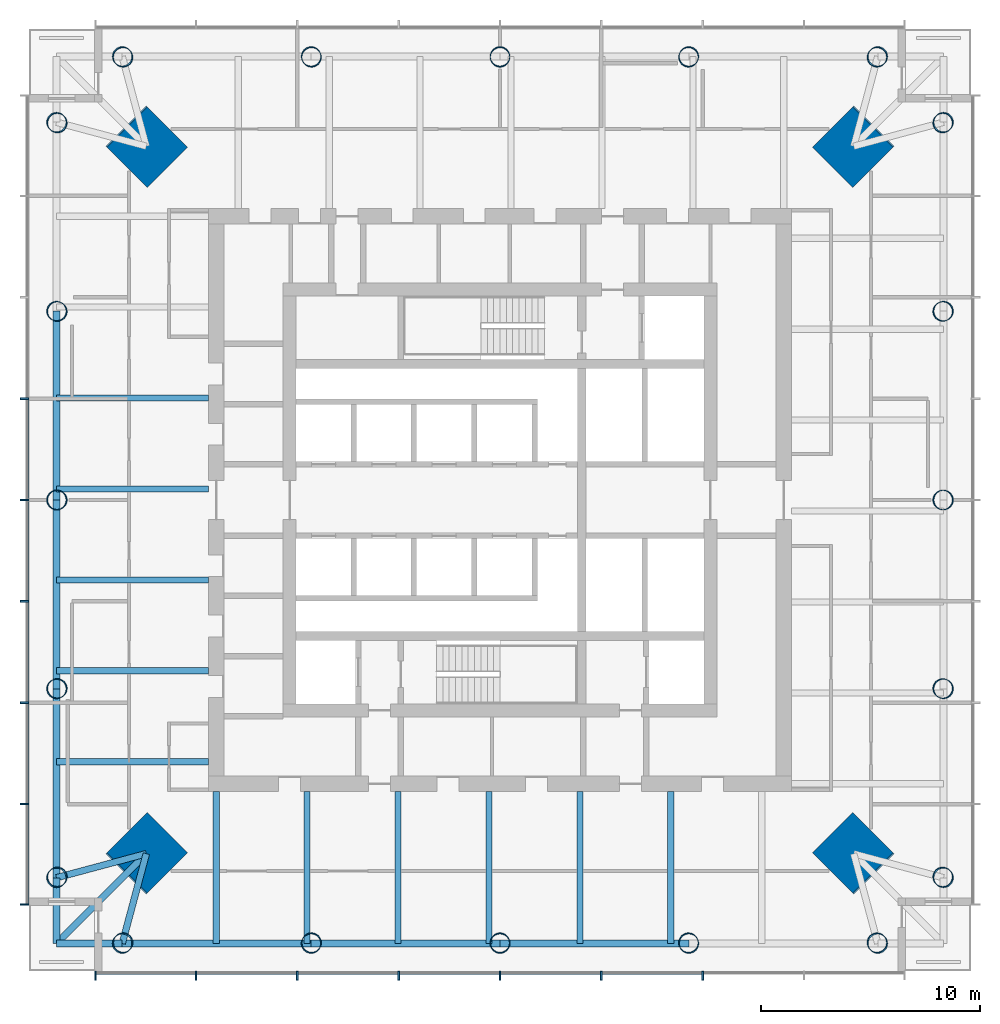
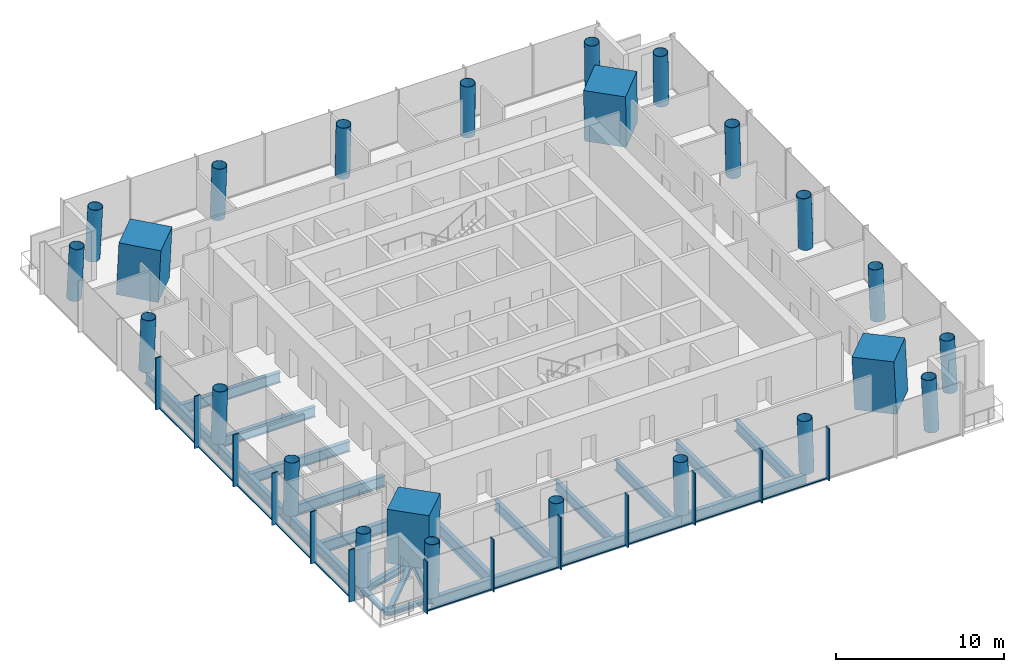
# One storey, part 1 of 9: 24 columns, 24 members, 22 beams, 2 elements without a shape of their own.
"""IFC4 building model written with IfcOpenShell, lengths in metres."""

import ifcopenshell
import ifcopenshell.guid

model = None  # the IFC model being written
_history = None  # IfcOwnerHistory: only IFC2X3 demands one
_inside = {}  # id of a spatial element -> (the spatial element, [elements in it])
_under = {}  # id of a project, library or spatial element -> (it, [spatial elements below it])
_declared = {}  # id of a project -> (the project, [libraries it declares])
_typed = {}  # id of a type object -> (the type object, [elements of that type])
_made_of = {}  # id of a material, layer set ... -> (it, [elements and type objects made of it])


def new_model(schema):
    """Start an empty IFC model of exactly this schema.

    Asked for "IFC4X3", IfcOpenShell would pick the latest addendum, in which some entities
    have other attributes; the version numbers below select the first issue.
    IFC2X3 requires an IfcOwnerHistory on every rooted entity: one is made here for all.
    """
    global model, _history
    if schema == "IFC4X3":
        model = ifcopenshell.file(schema_version=(4, 3, 0, 0))
    else:
        model = ifcopenshell.file(schema=schema)
    _inside.clear()
    _under.clear()
    _declared.clear()
    _typed.clear()
    _made_of.clear()
    _history = None
    if model.schema == "IFC2X3":
        org = make("IfcOrganization", Name="unknown")
        user = make(
            "IfcPersonAndOrganization",
            ThePerson=make("IfcPerson", FamilyName="unknown"),
            TheOrganization=org,
        )
        app = make(
            "IfcApplication",
            ApplicationDeveloper=org,
            Version="unknown",
            ApplicationFullName="unknown",
            ApplicationIdentifier="unknown",
        )
        _history = make(
            "IfcOwnerHistory",
            OwningUser=user,
            OwningApplication=app,
            ChangeAction="ADDED",
            CreationDate=0,
        )
    return model


def make(cls, **values):
    """One entity of the class cls with the attributes given. An attribute that is None is left unset."""
    return model.create_entity(
        cls, **{name: value for name, value in values.items() if value is not None}
    )


def rooted(cls, **values):
    """An entity with a GlobalId (a new one), such as an element, a storey or a relation."""
    return make(cls, GlobalId=ifcopenshell.guid.new(), OwnerHistory=_history, **values)


def si_unit(unit_type, name, prefix=None):
    """IfcSIUnit, for example si_unit("LENGTHUNIT", "METRE", prefix="MILLI")."""
    return make("IfcSIUnit", UnitType=unit_type, Prefix=prefix, Name=name)


def assignment(units):
    """IfcUnitAssignment: the units of a project."""
    return None if units is None else make("IfcUnitAssignment", Units=units)


def point(xyz):
    """IfcCartesianPoint."""
    return None if xyz is None else make("IfcCartesianPoint", Coordinates=xyz)


def direction(xyz):
    """IfcDirection."""
    return None if xyz is None else make("IfcDirection", DirectionRatios=xyz)


def frame(location, z_axis=None, x_axis=None):
    """IfcAxis2Placement3D, a coordinate frame: its origin and axes. An axis left out is left unset."""
    return make(
        "IfcAxis2Placement3D",
        Location=point(location),
        Axis=direction(z_axis),
        RefDirection=direction(x_axis),
    )


def frame_2d(location, x_axis=None):
    """IfcAxis2Placement2D, a coordinate frame in the plane: its origin and x axis."""
    return make(
        "IfcAxis2Placement2D", Location=point(location), RefDirection=direction(x_axis)
    )


def origin():
    """The frame at (0, 0, 0) with its axes left unset."""
    return frame((0.0, 0.0, 0.0))


def origin_2d():
    """The frame at (0, 0) in the plane with its x axis left unset."""
    return frame_2d((0.0, 0.0))


def place(relative_to, where):
    """IfcLocalPlacement: puts the frame where relative to a parent placement (None: the world)."""
    return make(
        "IfcLocalPlacement", PlacementRelTo=relative_to, RelativePlacement=where
    )


def context(
    kind, dimensions, precision=None, world=None, true_north=None, identifier=None
):
    """IfcGeometricRepresentationContext, for example the 3D "Model" context."""
    return make(
        "IfcGeometricRepresentationContext",
        ContextIdentifier=identifier,
        ContextType=kind,
        CoordinateSpaceDimension=dimensions,
        Precision=precision,
        WorldCoordinateSystem=world,
        TrueNorth=true_north,
    )


def subcontext(parent, identifier, kind, view, scale=None):
    """IfcGeometricRepresentationSubContext, for example "Body" below "Model"."""
    return make(
        "IfcGeometricRepresentationSubContext",
        ContextIdentifier=identifier,
        ContextType=kind,
        ParentContext=parent,
        TargetScale=scale,
        TargetView=view,
    )


def project(units=None, contexts=None):
    """IfcProject with its units and contexts."""
    return rooted(
        "IfcProject",
        Name="project",
        RepresentationContexts=contexts,
        UnitsInContext=assignment(units),
    )


def spatial(cls, under=None, at=None, **own):
    """A site, building, storey or space (cls), placed at a placement, below another one or the project."""
    s = rooted(cls, ObjectPlacement=at, **own)
    if under is not None:
        _under.setdefault(under.id(), (under, []))[1].append(s)
    return s


def profile(cls, at=None, kind="AREA", **sizes):
    """A parametric profile (cls). Its sizes go by their IFC names, for example OverallWidth=200.0."""
    return make(cls, ProfileType=kind, Position=at, **sizes)


def rectangle(**sizes):
    """IfcRectangleProfileDef."""
    return profile("IfcRectangleProfileDef", **sizes)


def hollow_circle(**sizes):
    """IfcCircleHollowProfileDef."""
    return profile("IfcCircleHollowProfileDef", **sizes)


def i_section(**sizes):
    """IfcIShapeProfileDef."""
    return profile("IfcIShapeProfileDef", **sizes)


def extrude(swept, where, along, depth):
    """IfcExtrudedAreaSolid: the profile swept, set in the frame where, extruded along a direction by depth."""
    return make(
        "IfcExtrudedAreaSolid",
        SweptArea=swept,
        Position=where,
        ExtrudedDirection=direction(along),
        Depth=depth,
    )


def shape(context_of_items, identifier, shape_type, items):
    """IfcShapeRepresentation: the items that make up one representation, for example the "Body"."""
    return make(
        "IfcShapeRepresentation",
        ContextOfItems=context_of_items,
        RepresentationIdentifier=identifier,
        RepresentationType=shape_type,
        Items=items,
    )


def material(Name=None, Category=None):
    """IfcMaterial."""
    return make("IfcMaterial", Name=Name, Category=Category)


def material_profile(
    of_material, cross_section, Name=None, Category=None, Priority=None
):
    """IfcMaterialProfile: a cross section and its material."""
    return make(
        "IfcMaterialProfile",
        Name=Name,
        Material=of_material,
        Profile=cross_section,
        Priority=Priority,
        Category=Category,
    )


def profile_set(profiles, Name=None, composite=None):
    """IfcMaterialProfileSet."""
    return make(
        "IfcMaterialProfileSet",
        Name=Name,
        MaterialProfiles=profiles,
        CompositeProfile=composite,
    )


def made_of(thing, what):
    """Note that an element or type object is made of a material, layer set ...; save() writes the relation."""
    if what is not None:
        _made_of.setdefault(what.id(), (what, []))[1].append(thing)
    return thing


def type_object(cls, material=None, **own):
    """A type object (cls), such as IfcWallType, which elements share."""
    return made_of(rooted(cls, **own), material)


def element(
    cls,
    number,
    at=None,
    inside=None,
    cuts=None,
    type_object=None,
    material=None,
    context=None,
    identifier="Body",
    shape_type=None,
    held_by="IfcProductDefinitionShape",
    body=None,
    shapes=None,
    **own,
):
    """One element of the class cls, such as IfcWall. Its Tag is "e" and its number.

    at: its placement. inside: the storey or other place that contains it. cuts: it is an
    opening in that element (IfcRelVoidsElement). A single representation is given by context,
    identifier, shape_type and body (its items); several are given by shapes. held_by: the class
    of the entity that holds the representations. save() writes the other relations.
    """
    e = rooted(cls, Tag="e%d" % number, ObjectPlacement=at, **own)
    if body is not None:
        shapes = [shape(context, identifier, shape_type, body)]
    if shapes is not None:
        e.Representation = make(held_by, Representations=shapes)
    if inside is not None:
        _inside.setdefault(inside.id(), (inside, []))[1].append(e)
    if cuts is not None:
        rooted(
            "IfcRelVoidsElement", RelatingBuildingElement=cuts, RelatedOpeningElement=e
        )
    if type_object is not None:
        _typed.setdefault(type_object.id(), (type_object, []))[1].append(e)
    return made_of(e, material)


def aggregate(whole, parts):
    """IfcRelAggregates: a whole, such as a stair, and the parts it consists of."""
    return rooted("IfcRelAggregates", RelatingObject=whole, RelatedObjects=parts)


def save(model, path):
    """Write the relations noted so far, then the file.

    IfcRelAggregates (storeys below a building ...), IfcRelContainedInSpatialStructure (elements
    in a storey), IfcRelDefinesByType, IfcRelAssociatesMaterial and IfcRelDeclares: one each for
    every whole, place, type object, material and project.
    """
    for whole, parts in _under.values():
        aggregate(whole, parts)
    for where, things in _inside.values():
        rooted(
            "IfcRelContainedInSpatialStructure",
            RelatedElements=things,
            RelatingStructure=where,
        )
    for kind, things in _typed.values():
        rooted("IfcRelDefinesByType", RelatedObjects=things, RelatingType=kind)
    for what, things in _made_of.values():
        rooted("IfcRelAssociatesMaterial", RelatedObjects=things, RelatingMaterial=what)
    for by, libraries in _declared.values():
        rooted("IfcRelDeclares", RelatingContext=by, RelatedDefinitions=libraries)
    model.write(path)


model = new_model("IFC4")

# Units and contexts
model_context = context("Model", 3, precision=1e-05, world=origin(), true_north=direction((0.0, 1.0)))
body_context = subcontext(model_context, "Body", "Model", "MODEL_VIEW")
ifc_project = project(units=[si_unit("LENGTHUNIT", "METRE"), si_unit("AREAUNIT", "SQUARE_METRE"), si_unit("VOLUMEUNIT", "CUBIC_METRE"), si_unit("PLANEANGLEUNIT", "RADIAN"), si_unit("MASSUNIT", "GRAM", prefix="KILO")], contexts=[model_context])

# Site, building, storey
site_placement = place(None, origin())
site = spatial("IfcSite", under=ifc_project, at=site_placement, CompositionType="ELEMENT")
building_placement = place(site_placement, origin())
building = spatial("IfcBuilding", under=site, at=building_placement, Name="Ostroluk Exchange", CompositionType="ELEMENT")
storey_placement = place(building_placement, frame((0.0, 0.0, 138.800048828125)))
storey = spatial("IfcBuildingStorey", under=building, at=storey_placement, Name="L35", CompositionType="ELEMENT", Elevation=138.800048828125)

# Columns
ifc_material_1 = material(Name="Concrete C50/60", Category="concrete")
ifc_material_profile_1 = material_profile(ifc_material_1, rectangle(XDim=2.60009765625, YDim=2.60009765625, at=origin_2d()), Name="RC 2600x2600")
ifc_profile_set_1 = profile_set([ifc_material_profile_1], Name="Concrete C50/60")
column_type_1 = type_object("IfcColumnType", Name="Mega column RC 2600x2600", PredefinedType="COLUMN", material=ifc_profile_set_1)
for number, where, z_axis, x_axis, name in (
    (1, (61.1357421875, 62.1357421875, 0.0), (-0.031898107953, -0.031898107953, 0.998981992539), (0.707106781187, -0.707106781187, 0.0), "T1 mega column NE"),
    (2, (28.8642578125, 62.1357421875, 0.0), (0.031898107953, -0.031898107953, 0.998981992539), (0.707106781187, 0.707106781187, 0.0), "T1 mega column NW"),
    (3, (28.8642578125, 29.8642578125, 0.0), (0.031898107953, 0.031898107953, 0.998981992539), (-0.707106781187, 0.707106781187, 0.0), "T1 mega column SW"),
    (4, (61.1357421875, 29.8642578125, 0.0), (-0.031898107953, 0.031898107953, 0.998981992539), (-0.707106781187, -0.707106781187, 0.0), "T1 mega column SE"),
):
    element("IfcColumn", number, at=place(storey_placement, frame(where, z_axis=z_axis, x_axis=x_axis)), inside=storey, type_object=column_type_1, Name=name, PredefinedType="COLUMN", context=body_context, shape_type="SweptSolid", body=[
        extrude(rectangle(XDim=2.60009765625, YDim=2.60009765625, at=origin_2d()), origin(), (0.0, 0.0, 1.0), 3.803955078125),
    ])
ifc_material_2 = material(Name="Steel S460", Category="steel")
ifc_material_profile_2 = material_profile(ifc_material_2, hollow_circle(Radius=0.45703125, WallThickness=0.030029296875, at=origin_2d()), Name="CHS 914x30")
ifc_profile_set_2 = profile_set([ifc_material_profile_2], Name="Steel S460")
column_type_2 = type_object("IfcColumnType", Name="Perimeter column CHS 914x30", PredefinedType="COLUMN", material=ifc_profile_set_2)
for number, where, z_axis, x_axis, name in (
    (5, (65.235595703125, 28.764404296875, 0.0), (-0.031898107953, 0.031898107953, 0.998981992539), (-0.707106781187, -0.707106781187, 0.0), "T1 east face column E0"),
    (6, (65.235595703125, 63.235595703125, 0.0), (-0.031898107953, -0.031898107953, 0.998981992539), (0.707106781187, -0.707106781187, 0.0), "T1 east face column E1"),
):
    element("IfcColumn", number, at=place(storey_placement, frame(where, z_axis=z_axis, x_axis=x_axis)), inside=storey, type_object=column_type_2, Name=name, PredefinedType="COLUMN", context=body_context, shape_type="SweptSolid", body=[
        extrude(hollow_circle(Radius=0.45703125, WallThickness=0.030029296875, at=origin_2d()), origin(), (0.0, 0.0, 1.0), 3.803955078125),
    ])
column_1_placement = place(storey_placement, frame((65.235595703125, 37.382080078125, 0.0), z_axis=(-0.031910269556, 0.015987237665, 0.999362868496), x_axis=(-0.447933021895, -0.894067115991, 0.0)))
element("IfcColumn", 7, at=column_1_placement, inside=storey, type_object=column_type_2, Name="T1 east face column I1", PredefinedType="COLUMN", context=body_context, shape_type="SweptSolid", body=[
    extrude(hollow_circle(Radius=0.45703125, WallThickness=0.030029296875, at=origin_2d()), origin(), (0.0, 0.0, 1.0), 3.802490234375),
])
column_2_placement = place(storey_placement, frame((65.235595703125, 46.0, 0.0), z_axis=(-0.031914348339, 0.0, 0.999490607445), x_axis=(0.0, -1.0, 0.0)))
element("IfcColumn", 8, at=column_2_placement, inside=storey, type_object=column_type_2, Name="T1 east face column I2", PredefinedType="COLUMN", context=body_context, shape_type="SweptSolid", body=[
    extrude(hollow_circle(Radius=0.45703125, WallThickness=0.030029296875, at=origin_2d()), origin(), (0.0, 0.0, 1.0), 3.802001953125),
])
column_3_placement = place(storey_placement, frame((65.235595703125, 54.617919921875, 0.0), z_axis=(-0.031910269556, -0.015987237665, 0.999362868496), x_axis=(0.447933021895, -0.894067115991, 0.0)))
element("IfcColumn", 9, at=column_3_placement, inside=storey, type_object=column_type_2, Name="T1 east face column I3", PredefinedType="COLUMN", context=body_context, shape_type="SweptSolid", body=[
    extrude(hollow_circle(Radius=0.45703125, WallThickness=0.030029296875, at=origin_2d()), origin(), (0.0, 0.0, 1.0), 3.802490234375),
])
for number, where, z_axis, x_axis, name in (
    (10, (62.235595703125, 66.235595703125, 0.0), (-0.031898107953, -0.031898107953, 0.998981992539), (0.707106781187, -0.707106781187, 0.0), "T1 north face column E0"),
    (11, (27.764404296875, 66.235595703125, 0.0), (0.031898107953, -0.031898107953, 0.998981992539), (0.707106781187, 0.707106781187, 0.0), "T1 north face column E1"),
):
    element("IfcColumn", number, at=place(storey_placement, frame(where, z_axis=z_axis, x_axis=x_axis)), inside=storey, type_object=column_type_2, Name=name, PredefinedType="COLUMN", context=body_context, shape_type="SweptSolid", body=[
        extrude(hollow_circle(Radius=0.45703125, WallThickness=0.030029296875, at=origin_2d()), origin(), (0.0, 0.0, 1.0), 3.803955078125),
    ])
column_4_placement = place(storey_placement, frame((53.617919921875, 66.235595703125, 0.0), z_axis=(-0.015987237665, -0.031910269556, 0.999362868496), x_axis=(0.894067115991, -0.447933021895, 0.0)))
element("IfcColumn", 12, at=column_4_placement, inside=storey, type_object=column_type_2, Name="T1 north face column I1", PredefinedType="COLUMN", context=body_context, shape_type="SweptSolid", body=[
    extrude(hollow_circle(Radius=0.45703125, WallThickness=0.030029296875, at=origin_2d()), origin(), (0.0, 0.0, 1.0), 3.802490234375),
])
column_5_placement = place(storey_placement, frame((45.0, 66.235595703125, 0.0), z_axis=(0.0, -0.031914348339, 0.999490607445), x_axis=(1.0, 0.0, 0.0)))
element("IfcColumn", 13, at=column_5_placement, inside=storey, type_object=column_type_2, Name="T1 north face column I2", PredefinedType="COLUMN", context=body_context, shape_type="SweptSolid", body=[
    extrude(hollow_circle(Radius=0.45703125, WallThickness=0.030029296875, at=origin_2d()), origin(), (0.0, 0.0, 1.0), 3.802001953125),
])
column_6_placement = place(storey_placement, frame((36.382080078125, 66.235595703125, 0.0), z_axis=(0.015987237665, -0.031910269556, 0.999362868496), x_axis=(0.894067115991, 0.447933021895, 0.0)))
element("IfcColumn", 14, at=column_6_placement, inside=storey, type_object=column_type_2, Name="T1 north face column I3", PredefinedType="COLUMN", context=body_context, shape_type="SweptSolid", body=[
    extrude(hollow_circle(Radius=0.45703125, WallThickness=0.030029296875, at=origin_2d()), origin(), (0.0, 0.0, 1.0), 3.802490234375),
])
for number, where, z_axis, x_axis, name in (
    (15, (24.764404296875, 63.235595703125, 0.0), (0.031898107953, -0.031898107953, 0.998981992539), (0.707106781187, 0.707106781187, 0.0), "T1 west face column E0"),
    (16, (24.764404296875, 28.764404296875, 0.0), (0.031898107953, 0.031898107953, 0.998981992539), (-0.707106781187, 0.707106781187, 0.0), "T1 west face column E1"),
):
    element("IfcColumn", number, at=place(storey_placement, frame(where, z_axis=z_axis, x_axis=x_axis)), inside=storey, type_object=column_type_2, Name=name, PredefinedType="COLUMN", context=body_context, shape_type="SweptSolid", body=[
        extrude(hollow_circle(Radius=0.45703125, WallThickness=0.030029296875, at=origin_2d()), origin(), (0.0, 0.0, 1.0), 3.803955078125),
    ])
column_7_placement = place(storey_placement, frame((24.764404296875, 54.617919921875, 0.0), z_axis=(0.031910269556, -0.015987237665, 0.999362868496), x_axis=(0.447933021895, 0.894067115991, 0.0)))
element("IfcColumn", 17, at=column_7_placement, inside=storey, type_object=column_type_2, Name="T1 west face column I1", PredefinedType="COLUMN", context=body_context, shape_type="SweptSolid", body=[
    extrude(hollow_circle(Radius=0.45703125, WallThickness=0.030029296875, at=origin_2d()), origin(), (0.0, 0.0, 1.0), 3.802490234375),
])
column_8_placement = place(storey_placement, frame((24.764404296875, 46.0, 0.0), z_axis=(0.031914348339, 0.0, 0.999490607445), x_axis=(0.0, 1.0, 0.0)))
element("IfcColumn", 18, at=column_8_placement, inside=storey, type_object=column_type_2, Name="T1 west face column I2", PredefinedType="COLUMN", context=body_context, shape_type="SweptSolid", body=[
    extrude(hollow_circle(Radius=0.45703125, WallThickness=0.030029296875, at=origin_2d()), origin(), (0.0, 0.0, 1.0), 3.802001953125),
])
column_9_placement = place(storey_placement, frame((24.764404296875, 37.382080078125, 0.0), z_axis=(0.031910269556, 0.015987237665, 0.999362868496), x_axis=(-0.447933021895, 0.894067115991, 0.0)))
element("IfcColumn", 19, at=column_9_placement, inside=storey, type_object=column_type_2, Name="T1 west face column I3", PredefinedType="COLUMN", context=body_context, shape_type="SweptSolid", body=[
    extrude(hollow_circle(Radius=0.45703125, WallThickness=0.030029296875, at=origin_2d()), origin(), (0.0, 0.0, 1.0), 3.802490234375),
])
for number, where, z_axis, x_axis, name in (
    (20, (27.764404296875, 25.764404296875, 0.0), (0.031898107953, 0.031898107953, 0.998981992539), (-0.707106781187, 0.707106781187, 0.0), "T1 south face column E0"),
    (21, (62.235595703125, 25.764404296875, 0.0), (-0.031898107953, 0.031898107953, 0.998981992539), (-0.707106781187, -0.707106781187, 0.0), "T1 south face column E1"),
):
    element("IfcColumn", number, at=place(storey_placement, frame(where, z_axis=z_axis, x_axis=x_axis)), inside=storey, type_object=column_type_2, Name=name, PredefinedType="COLUMN", context=body_context, shape_type="SweptSolid", body=[
        extrude(hollow_circle(Radius=0.45703125, WallThickness=0.030029296875, at=origin_2d()), origin(), (0.0, 0.0, 1.0), 3.803955078125),
    ])
column_10_placement = place(storey_placement, frame((36.382080078125, 25.764404296875, 0.0), z_axis=(0.015987237665, 0.031910269556, 0.999362868496), x_axis=(-0.894067115991, 0.447933021895, 0.0)))
element("IfcColumn", 22, at=column_10_placement, inside=storey, type_object=column_type_2, Name="T1 south face column I1", PredefinedType="COLUMN", context=body_context, shape_type="SweptSolid", body=[
    extrude(hollow_circle(Radius=0.45703125, WallThickness=0.030029296875, at=origin_2d()), origin(), (0.0, 0.0, 1.0), 3.802490234375),
])
column_11_placement = place(storey_placement, frame((45.0, 25.764404296875, 0.0), z_axis=(0.0, 0.031914348339, 0.999490607445), x_axis=(-1.0, 0.0, 0.0)))
element("IfcColumn", 23, at=column_11_placement, inside=storey, type_object=column_type_2, Name="T1 south face column I2", PredefinedType="COLUMN", context=body_context, shape_type="SweptSolid", body=[
    extrude(hollow_circle(Radius=0.45703125, WallThickness=0.030029296875, at=origin_2d()), origin(), (0.0, 0.0, 1.0), 3.802001953125),
])
column_12_placement = place(storey_placement, frame((53.617919921875, 25.764404296875, 0.0), z_axis=(-0.015987237665, 0.031910269556, 0.999362868496), x_axis=(-0.894067115991, -0.447933021895, 0.0)))
element("IfcColumn", 24, at=column_12_placement, inside=storey, type_object=column_type_2, Name="T1 south face column I3", PredefinedType="COLUMN", context=body_context, shape_type="SweptSolid", body=[
    extrude(hollow_circle(Radius=0.45703125, WallThickness=0.030029296875, at=origin_2d()), origin(), (0.0, 0.0, 1.0), 3.802490234375),
])

# Beams
ifc_material_3 = material(Name="Steel S355", Category="steel")
ifc_material_profile_3 = material_profile(ifc_material_3, i_section(OverallWidth=0.300048828125, OverallDepth=0.300048828125, WebThickness=0.010986328125, FlangeThickness=0.01904296875, FilletRadius=0.027099609375, at=origin_2d()), Name="HEB 300")
ifc_profile_set_3 = profile_set([ifc_material_profile_3], Name="Steel S355")
beam_type_1 = type_object("IfcBeamType", Name="Balcony beam HEB 300", PredefinedType="BEAM", material=ifc_profile_set_3)
for number, where, z_axis, x_axis, name in (
    (25, (24.764404296875, 28.764404296875, -0.330078125), (0.0, -1.0, 0.0), (1.0, 0.0, 0.0), "T1 west balcony beam a"),
    (26, (27.764404296875, 25.764404296875, -0.330078125), (-1.0, 0.0, 0.0), (0.0, -1.0, 0.0), "T1 west balcony beam b"),
):
    element("IfcBeam", number, at=place(storey_placement, frame(where, z_axis=z_axis, x_axis=x_axis)), inside=storey, type_object=beam_type_1, Name=name, PredefinedType="BEAM", context=body_context, shape_type="SweptSolid", body=[
        extrude(i_section(OverallWidth=0.300048828125, OverallDepth=0.300048828125, WebThickness=0.010986328125, FlangeThickness=0.01904296875, FilletRadius=0.027099609375, at=origin_2d()), origin(), (0.0, 0.0, 1.0), 3.0),
    ])
beam_1_placement = place(storey_placement, frame((28.8642578125, 29.8642578125, -0.330078125), z_axis=(-0.707106781187, -0.707106781187, 0.0), x_axis=(0.707106781187, -0.707106781187, 0.0)))
element("IfcBeam", 27, at=beam_1_placement, inside=storey, type_object=beam_type_1, Name="T1 west balcony beam c", PredefinedType="BEAM", context=body_context, shape_type="SweptSolid", body=[
    extrude(i_section(OverallWidth=0.300048828125, OverallDepth=0.300048828125, WebThickness=0.010986328125, FlangeThickness=0.01904296875, FilletRadius=0.027099609375, at=origin_2d()), origin(), (0.0, 0.0, 1.0), 5.798095703125),
])
ifc_material_4 = material(Name="Steel S355", Category="steel")
ifc_material_profile_4 = material_profile(ifc_material_4, i_section(OverallWidth=0.300048828125, OverallDepth=0.550048828125, WebThickness=0.014892578125, FlangeThickness=0.029052734375, FilletRadius=0.027099609375, at=origin_2d()), Name="HEB 550")
ifc_profile_set_4 = profile_set([ifc_material_profile_4], Name="Steel S355")
beam_type_2 = type_object("IfcBeamType", Name="Corner edge beam HEB 550", PredefinedType="SPANDREL", material=ifc_profile_set_4)
for number, where, z_axis, x_axis, name in (
    (28, (28.8642578125, 29.8642578125, -0.455078125), (-0.965849156574, -0.259105011038, 0.0), (0.259105011038, -0.965849156574, 0.0), "T1 west corner edge beam a"),
    (29, (28.8642578125, 29.8642578125, -0.455078125), (-0.259105011038, -0.965849156574, 0.0), (0.965849156574, -0.259105011038, 0.0), "T1 west corner edge beam b"),
):
    element("IfcBeam", number, at=place(storey_placement, frame(where, z_axis=z_axis, x_axis=x_axis)), inside=storey, type_object=beam_type_2, Name=name, PredefinedType="SPANDREL", context=body_context, shape_type="SweptSolid", body=[
        extrude(i_section(OverallWidth=0.300048828125, OverallDepth=0.550048828125, WebThickness=0.014892578125, FlangeThickness=0.029052734375, FilletRadius=0.027099609375, at=origin_2d()), origin(), (0.0, 0.0, 1.0), 4.244873046875),
    ])
ifc_material_5 = material(Name="Steel S355", Category="steel")
ifc_material_profile_5 = material_profile(ifc_material_5, i_section(OverallWidth=0.302978515625, OverallDepth=0.81396484375, WebThickness=0.02099609375, FlangeThickness=0.0400390625, FilletRadius=0.030029296875, at=origin_2d()), Name="HEM 800")
ifc_profile_set_5 = profile_set([ifc_material_profile_5], Name="Steel S355")
beam_type_3 = type_object("IfcBeamType", Name="Floor beam HEM 800", PredefinedType="BEAM", material=ifc_profile_set_5)
for number, where, z_axis, x_axis, name in (
    (30, (31.699951171875, 38.208984375, -0.587158203125), (-1.0, 0.0, 0.0), (0.0, -1.0, 0.0), "T1 west floor beam 5"),
    (31, (31.699951171875, 34.060791015625, -0.587158203125), (-1.0, 0.0, 0.0), (0.0, -1.0, 0.0), "T1 west floor beam 6"),
    (32, (52.791015625, 32.699951171875, -0.587158203125), (0.0, -1.0, 0.0), (1.0, 0.0, 0.0), "T1 south floor beam 5"),
):
    element("IfcBeam", number, at=place(storey_placement, frame(where, z_axis=z_axis, x_axis=x_axis)), inside=storey, type_object=beam_type_3, Name=name, PredefinedType="BEAM", context=body_context, shape_type="SweptSolid", body=[
        extrude(i_section(OverallWidth=0.302978515625, OverallDepth=0.81396484375, WebThickness=0.02099609375, FlangeThickness=0.0400390625, FilletRadius=0.030029296875, at=origin_2d()), origin(), (0.0, 0.0, 1.0), 6.935546875),
    ])
ifc_material_6 = material(Name="Steel S355", Category="steel")
ifc_material_profile_6 = material_profile(ifc_material_6, i_section(OverallWidth=0.26708984375, OverallDepth=0.761962890625, WebThickness=0.014404296875, FlangeThickness=0.021484375, FilletRadius=0.01708984375, at=origin_2d()), Name="IPE 750x173")
ifc_profile_set_6 = profile_set([ifc_material_profile_6], Name="Steel S355")
beam_type_4 = type_object("IfcBeamType", Name="Floor beam IPE 750x173", PredefinedType="BEAM", material=ifc_profile_set_6)
for number, where, z_axis, x_axis, name in (
    (33, (31.699951171875, 50.653564453125, -0.56103515625), (-1.0, 0.0, 0.0), (0.0, -1.0, 0.0), "T1 west floor beam 2"),
    (34, (31.699951171875, 46.50537109375, -0.56103515625), (-1.0, 0.0, 0.0), (0.0, -1.0, 0.0), "T1 west floor beam 3"),
    (35, (31.699951171875, 42.357177734375, -0.56103515625), (-1.0, 0.0, 0.0), (0.0, -1.0, 0.0), "T1 west floor beam 4"),
    (36, (36.1982421875, 32.699951171875, -0.56103515625), (0.0, -1.0, 0.0), (1.0, 0.0, 0.0), "T1 south floor beam 1"),
    (37, (40.346435546875, 32.699951171875, -0.56103515625), (0.0, -1.0, 0.0), (1.0, 0.0, 0.0), "T1 south floor beam 2"),
    (38, (44.49462890625, 32.699951171875, -0.56103515625), (0.0, -1.0, 0.0), (1.0, 0.0, 0.0), "T1 south floor beam 3"),
    (39, (48.642822265625, 32.699951171875, -0.56103515625), (0.0, -1.0, 0.0), (1.0, 0.0, 0.0), "T1 south floor beam 4"),
):
    element("IfcBeam", number, at=place(storey_placement, frame(where, z_axis=z_axis, x_axis=x_axis)), inside=storey, type_object=beam_type_4, Name=name, PredefinedType="BEAM", context=body_context, shape_type="SweptSolid", body=[
        extrude(i_section(OverallWidth=0.26708984375, OverallDepth=0.761962890625, WebThickness=0.014404296875, FlangeThickness=0.021484375, FilletRadius=0.01708984375, at=origin_2d()), origin(), (0.0, 0.0, 1.0), 6.935546875),
    ])
ifc_material_7 = material(Name="Steel S355", Category="steel")
ifc_material_profile_7 = material_profile(ifc_material_7, i_section(OverallWidth=0.300048828125, OverallDepth=0.89990234375, WebThickness=0.0185546875, FlangeThickness=0.034912109375, FilletRadius=0.030029296875, at=origin_2d()), Name="HEB 900")
ifc_profile_set_7 = profile_set([ifc_material_profile_7], Name="Steel S355")
beam_type_5 = type_object("IfcBeamType", Name="Girder HEB 900", PredefinedType="BEAM", material=ifc_profile_set_7)
beam_2_placement = place(storey_placement, frame((32.050048828125, 32.699951171875, -0.630126953125), z_axis=(0.0, -1.0, 0.0), x_axis=(1.0, 0.0, 0.0)))
element("IfcBeam", 40, at=beam_2_placement, inside=storey, type_object=beam_type_5, Name="T1 west girder", PredefinedType="BEAM", context=body_context, shape_type="SweptSolid", body=[
    extrude(i_section(OverallWidth=0.300048828125, OverallDepth=0.89990234375, WebThickness=0.0185546875, FlangeThickness=0.034912109375, FilletRadius=0.030029296875, at=origin_2d()), origin(), (0.0, 0.0, 1.0), 6.935546875),
])
ifc_material_8 = material(Name="Steel S355", Category="steel")
ifc_material_profile_8 = material_profile(ifc_material_8, i_section(OverallWidth=0.300048828125, OverallDepth=0.800048828125, WebThickness=0.017578125, FlangeThickness=0.032958984375, FilletRadius=0.030029296875, at=origin_2d()), Name="HEB 800")
ifc_profile_set_8 = profile_set([ifc_material_profile_8], Name="Steel S355")
beam_type_6 = type_object("IfcBeamType", Name="Moment-connected edge beam HEB 800", PredefinedType="SPANDREL", material=ifc_profile_set_8)
for number, where, z_axis, x_axis, name in (
    (41, (24.764404296875, 54.617919921875, -0.580078125), (0.0, -1.0, 0.0), (1.0, 0.0, 0.0), "T1 west edge beam 2"),
    (42, (24.764404296875, 46.0, -0.580078125), (0.0, -1.0, 0.0), (1.0, 0.0, 0.0), "T1 west edge beam 3"),
):
    element("IfcBeam", number, at=place(storey_placement, frame(where, z_axis=z_axis, x_axis=x_axis)), inside=storey, type_object=beam_type_6, Name=name, PredefinedType="SPANDREL", context=body_context, shape_type="SweptSolid", body=[
        extrude(i_section(OverallWidth=0.300048828125, OverallDepth=0.800048828125, WebThickness=0.017578125, FlangeThickness=0.032958984375, FilletRadius=0.030029296875, at=origin_2d()), origin(), (0.0, 0.0, 1.0), 8.617919921875),
    ])
for number, where, z_axis, x_axis, name in (
    (43, (24.764404296875, 37.382080078125, -0.580078125), (0.0, -1.0, 0.0), (1.0, 0.0, 0.0), "T1 west edge beam 4"),
    (44, (27.764404296875, 25.764404296875, -0.580078125), (1.0, 0.0, 0.0), (0.0, 1.0, 0.0), "T1 south edge beam 1"),
):
    element("IfcBeam", number, at=place(storey_placement, frame(where, z_axis=z_axis, x_axis=x_axis)), inside=storey, type_object=beam_type_6, Name=name, PredefinedType="SPANDREL", context=body_context, shape_type="SweptSolid", body=[
        extrude(i_section(OverallWidth=0.300048828125, OverallDepth=0.800048828125, WebThickness=0.017578125, FlangeThickness=0.032958984375, FilletRadius=0.030029296875, at=origin_2d()), origin(), (0.0, 0.0, 1.0), 8.61767578125),
    ])
for number, where, z_axis, x_axis, name in (
    (45, (36.382080078125, 25.764404296875, -0.580078125), (1.0, 0.0, 0.0), (0.0, 1.0, 0.0), "T1 south edge beam 2"),
    (46, (45.0, 25.764404296875, -0.580078125), (1.0, 0.0, 0.0), (0.0, 1.0, 0.0), "T1 south edge beam 3"),
):
    element("IfcBeam", number, at=place(storey_placement, frame(where, z_axis=z_axis, x_axis=x_axis)), inside=storey, type_object=beam_type_6, Name=name, PredefinedType="SPANDREL", context=body_context, shape_type="SweptSolid", body=[
        extrude(i_section(OverallWidth=0.300048828125, OverallDepth=0.800048828125, WebThickness=0.017578125, FlangeThickness=0.032958984375, FilletRadius=0.030029296875, at=origin_2d()), origin(), (0.0, 0.0, 1.0), 8.617919921875),
    ])

# Curtain wall, members
ifc_material_9 = material(Name="Laminated clear glass", Category="glass")
curtain_wall_type = type_object("IfcCurtainWallType", Name="Office tower facade", PredefinedType="USERDEFINED", material=ifc_material_9)
curtain_wall_1_placement = place(storey_placement, origin())
curtain_wall_1 = element("IfcCurtainWall", 47, at=curtain_wall_1_placement, inside=storey, type_object=curtain_wall_type, Name="Office tower south facade L35", ObjectType="UNITISED CURTAIN WALL", PredefinedType="USERDEFINED")
ifc_material_10 = material(Name="Aluminium mullion", Category="aluminium")
ifc_material_profile_9 = material_profile(ifc_material_10, rectangle(XDim=0.14990234375, YDim=0.080078125, at=origin_2d()), Name="Sill transom 80 x 150")
ifc_profile_set_9 = profile_set([ifc_material_profile_9], Name="Aluminium mullion")
member_type_1 = type_object("IfcMemberType", Name="Sill transom 80 x 150", PredefinedType="USERDEFINED", material=ifc_profile_set_9)
member_1_placement = place(storey_placement, frame((26.580078125, 24.425048828125, 0.0400390625), z_axis=(1.0, 0.0, 0.0), x_axis=(0.0, 1.0, 0.0)))
member_1 = element("IfcMember", 48, at=member_1_placement, type_object=member_type_1, Name="CW-O1 transom 1.1", ObjectType="TRANSOM", PredefinedType="USERDEFINED", context=body_context, shape_type="SweptSolid", body=[
    extrude(rectangle(XDim=0.14990234375, YDim=0.080078125, at=origin_2d()), origin(), (0.0, 0.0, 1.0), 4.5048828125),
])
member_2_placement = place(storey_placement, frame((31.1650390625, 24.425048828125, 0.0400390625), z_axis=(1.0, 0.0, 0.0), x_axis=(0.0, 1.0, 0.0)))
member_2 = element("IfcMember", 49, at=member_2_placement, type_object=member_type_1, Name="CW-O1 transom 2.1", ObjectType="TRANSOM", PredefinedType="USERDEFINED", context=body_context, shape_type="SweptSolid", body=[
    extrude(rectangle(XDim=0.14990234375, YDim=0.080078125, at=origin_2d()), origin(), (0.0, 0.0, 1.0), 4.544921875),
])
member_3_placement = place(storey_placement, frame((35.7900390625, 24.425048828125, 0.0400390625), z_axis=(1.0, 0.0, 0.0), x_axis=(0.0, 1.0, 0.0)))
member_3 = element("IfcMember", 50, at=member_3_placement, type_object=member_type_1, Name="CW-O1 transom 3.1", ObjectType="TRANSOM", PredefinedType="USERDEFINED", context=body_context, shape_type="SweptSolid", body=[
    extrude(rectangle(XDim=0.14990234375, YDim=0.080078125, at=origin_2d()), origin(), (0.0, 0.0, 1.0), 4.544921875),
])
member_4_placement = place(storey_placement, frame((40.4150390625, 24.425048828125, 0.0400390625), z_axis=(1.0, 0.0, 0.0), x_axis=(0.0, 1.0, 0.0)))
member_4 = element("IfcMember", 51, at=member_4_placement, type_object=member_type_1, Name="CW-O1 transom 4.1", ObjectType="TRANSOM", PredefinedType="USERDEFINED", context=body_context, shape_type="SweptSolid", body=[
    extrude(rectangle(XDim=0.14990234375, YDim=0.080078125, at=origin_2d()), origin(), (0.0, 0.0, 1.0), 4.544921875),
])
member_5_placement = place(storey_placement, frame((45.0400390625, 24.425048828125, 0.0400390625), z_axis=(1.0, 0.0, 0.0), x_axis=(0.0, 1.0, 0.0)))
member_5 = element("IfcMember", 52, at=member_5_placement, type_object=member_type_1, Name="CW-O1 transom 5.1", ObjectType="TRANSOM", PredefinedType="USERDEFINED", context=body_context, shape_type="SweptSolid", body=[
    extrude(rectangle(XDim=0.14990234375, YDim=0.080078125, at=origin_2d()), origin(), (0.0, 0.0, 1.0), 4.544921875),
])
member_6_placement = place(storey_placement, frame((49.6650390625, 24.425048828125, 0.0400390625), z_axis=(1.0, 0.0, 0.0), x_axis=(0.0, 1.0, 0.0)))
member_6 = element("IfcMember", 53, at=member_6_placement, type_object=member_type_1, Name="CW-O1 transom 6.1", ObjectType="TRANSOM", PredefinedType="USERDEFINED", context=body_context, shape_type="SweptSolid", body=[
    extrude(rectangle(XDim=0.14990234375, YDim=0.080078125, at=origin_2d()), origin(), (0.0, 0.0, 1.0), 4.544921875),
])

curtain_wall_2_placement = place(storey_placement, origin())
curtain_wall_2 = element("IfcCurtainWall", 54, at=curtain_wall_2_placement, inside=storey, type_object=curtain_wall_type, Name="Office tower west facade L35", ObjectType="UNITISED CURTAIN WALL", PredefinedType="USERDEFINED")
member_7_placement = place(storey_placement, frame((23.425048828125, 50.5849609375, 0.0400390625), z_axis=(0.0, -1.0, 0.0), x_axis=(1.0, 0.0, 0.0)))
member_7 = element("IfcMember", 55, at=member_7_placement, type_object=member_type_1, Name="CW-O1 transom 4.1", ObjectType="TRANSOM", PredefinedType="USERDEFINED", context=body_context, shape_type="SweptSolid", body=[
    extrude(rectangle(XDim=0.14990234375, YDim=0.080078125, at=origin_2d()), origin(), (0.0, 0.0, 1.0), 4.544921875),
])
member_8_placement = place(storey_placement, frame((23.425048828125, 45.9599609375, 0.0400390625), z_axis=(0.0, -1.0, 0.0), x_axis=(1.0, 0.0, 0.0)))
member_8 = element("IfcMember", 56, at=member_8_placement, type_object=member_type_1, Name="CW-O1 transom 5.1", ObjectType="TRANSOM", PredefinedType="USERDEFINED", context=body_context, shape_type="SweptSolid", body=[
    extrude(rectangle(XDim=0.14990234375, YDim=0.080078125, at=origin_2d()), origin(), (0.0, 0.0, 1.0), 4.544921875),
])
member_9_placement = place(storey_placement, frame((23.425048828125, 41.3349609375, 0.0400390625), z_axis=(0.0, -1.0, 0.0), x_axis=(1.0, 0.0, 0.0)))
member_9 = element("IfcMember", 57, at=member_9_placement, type_object=member_type_1, Name="CW-O1 transom 6.1", ObjectType="TRANSOM", PredefinedType="USERDEFINED", context=body_context, shape_type="SweptSolid", body=[
    extrude(rectangle(XDim=0.14990234375, YDim=0.080078125, at=origin_2d()), origin(), (0.0, 0.0, 1.0), 4.544921875),
])
member_10_placement = place(storey_placement, frame((23.425048828125, 36.7099609375, 0.0400390625), z_axis=(0.0, -1.0, 0.0), x_axis=(1.0, 0.0, 0.0)))
member_10 = element("IfcMember", 58, at=member_10_placement, type_object=member_type_1, Name="CW-O1 transom 7.1", ObjectType="TRANSOM", PredefinedType="USERDEFINED", context=body_context, shape_type="SweptSolid", body=[
    extrude(rectangle(XDim=0.14990234375, YDim=0.080078125, at=origin_2d()), origin(), (0.0, 0.0, 1.0), 4.544921875),
])
member_11_placement = place(storey_placement, frame((23.425048828125, 32.0849609375, 0.0400390625), z_axis=(0.0, -1.0, 0.0), x_axis=(1.0, 0.0, 0.0)))
member_11 = element("IfcMember", 59, at=member_11_placement, type_object=member_type_1, Name="CW-O1 transom 8.1", ObjectType="TRANSOM", PredefinedType="USERDEFINED", context=body_context, shape_type="SweptSolid", body=[
    extrude(rectangle(XDim=0.14990234375, YDim=0.080078125, at=origin_2d()), origin(), (0.0, 0.0, 1.0), 4.5048828125),
])

# Member
ifc_material_11 = material(Name="Aluminium mullion with limestone facing", Category="masonry")
ifc_material_profile_10 = material_profile(ifc_material_11, rectangle(XDim=0.39990234375, YDim=0.080078125, at=origin_2d()), Name="Tracery mullion 80 x 400")
ifc_profile_set_10 = profile_set([ifc_material_profile_10], Name="Aluminium mullion with limestone facing")
member_type_2 = type_object("IfcMemberType", Name="Tracery mullion 80 x 400", PredefinedType="MULLION", material=ifc_profile_set_10)
member_12_placement = place(storey_placement, frame((26.5400390625, 24.300048828125, 0.0), z_axis=(0.0, 0.0, 1.0), x_axis=(0.0, 1.0, 0.0)))
member_12 = element("IfcMember", 60, at=member_12_placement, type_object=member_type_2, Name="CW-O1 mullion 1", PredefinedType="MULLION", context=body_context, shape_type="SweptSolid", body=[
    extrude(rectangle(XDim=0.39990234375, YDim=0.080078125, at=origin_2d()), origin(), (0.0, 0.0, 1.0), 3.800048828125),
])

member_13_placement = place(storey_placement, frame((31.125, 24.300048828125, 0.0), z_axis=(0.0, 0.0, 1.0), x_axis=(0.0, 1.0, 0.0)))
member_13 = element("IfcMember", 61, at=member_13_placement, type_object=member_type_2, Name="CW-O1 mullion 2", PredefinedType="MULLION", context=body_context, shape_type="SweptSolid", body=[
    extrude(rectangle(XDim=0.39990234375, YDim=0.080078125, at=origin_2d()), origin(), (0.0, 0.0, 1.0), 3.800048828125),
])

member_14_placement = place(storey_placement, frame((35.75, 24.300048828125, 0.0), z_axis=(0.0, 0.0, 1.0), x_axis=(0.0, 1.0, 0.0)))
member_14 = element("IfcMember", 62, at=member_14_placement, type_object=member_type_2, Name="CW-O1 mullion 3", PredefinedType="MULLION", context=body_context, shape_type="SweptSolid", body=[
    extrude(rectangle(XDim=0.39990234375, YDim=0.080078125, at=origin_2d()), origin(), (0.0, 0.0, 1.0), 3.800048828125),
])

member_15_placement = place(storey_placement, frame((40.375, 24.300048828125, 0.0), z_axis=(0.0, 0.0, 1.0), x_axis=(0.0, 1.0, 0.0)))
member_15 = element("IfcMember", 63, at=member_15_placement, type_object=member_type_2, Name="CW-O1 mullion 4", PredefinedType="MULLION", context=body_context, shape_type="SweptSolid", body=[
    extrude(rectangle(XDim=0.39990234375, YDim=0.080078125, at=origin_2d()), origin(), (0.0, 0.0, 1.0), 3.800048828125),
])

member_16_placement = place(storey_placement, frame((45.0, 24.300048828125, 0.0), z_axis=(0.0, 0.0, 1.0), x_axis=(0.0, 1.0, 0.0)))
member_16 = element("IfcMember", 64, at=member_16_placement, type_object=member_type_2, Name="CW-O1 mullion 5", PredefinedType="MULLION", context=body_context, shape_type="SweptSolid", body=[
    extrude(rectangle(XDim=0.39990234375, YDim=0.080078125, at=origin_2d()), origin(), (0.0, 0.0, 1.0), 3.800048828125),
])

member_17_placement = place(storey_placement, frame((49.625, 24.300048828125, 0.0), z_axis=(0.0, 0.0, 1.0), x_axis=(0.0, 1.0, 0.0)))
member_17 = element("IfcMember", 65, at=member_17_placement, type_object=member_type_2, Name="CW-O1 mullion 6", PredefinedType="MULLION", context=body_context, shape_type="SweptSolid", body=[
    extrude(rectangle(XDim=0.39990234375, YDim=0.080078125, at=origin_2d()), origin(), (0.0, 0.0, 1.0), 3.800048828125),
])

member_18_placement = place(storey_placement, frame((54.25, 24.300048828125, 0.0), z_axis=(0.0, 0.0, 1.0), x_axis=(0.0, 1.0, 0.0)))
member_18 = element("IfcMember", 66, at=member_18_placement, type_object=member_type_2, Name="CW-O1 mullion 7", PredefinedType="MULLION", context=body_context, shape_type="SweptSolid", body=[
    extrude(rectangle(XDim=0.39990234375, YDim=0.080078125, at=origin_2d()), origin(), (0.0, 0.0, 1.0), 3.800048828125),
])

aggregate(curtain_wall_1, [member_12, member_13, member_14, member_15, member_16, member_17, member_18, member_1, member_2, member_3, member_4, member_5, member_6])

member_19_placement = place(storey_placement, frame((23.300048828125, 50.625, 0.0), z_axis=(0.0, 0.0, 1.0), x_axis=(1.0, 0.0, 0.0)))
member_19 = element("IfcMember", 67, at=member_19_placement, type_object=member_type_2, Name="CW-O1 mullion 4", PredefinedType="MULLION", context=body_context, shape_type="SweptSolid", body=[
    extrude(rectangle(XDim=0.39990234375, YDim=0.080078125, at=origin_2d()), origin(), (0.0, 0.0, 1.0), 3.800048828125),
])

member_20_placement = place(storey_placement, frame((23.300048828125, 46.0, 0.0), z_axis=(0.0, 0.0, 1.0), x_axis=(1.0, 0.0, 0.0)))
member_20 = element("IfcMember", 68, at=member_20_placement, type_object=member_type_2, Name="CW-O1 mullion 5", PredefinedType="MULLION", context=body_context, shape_type="SweptSolid", body=[
    extrude(rectangle(XDim=0.39990234375, YDim=0.080078125, at=origin_2d()), origin(), (0.0, 0.0, 1.0), 3.800048828125),
])

member_21_placement = place(storey_placement, frame((23.300048828125, 41.375, 0.0), z_axis=(0.0, 0.0, 1.0), x_axis=(1.0, 0.0, 0.0)))
member_21 = element("IfcMember", 69, at=member_21_placement, type_object=member_type_2, Name="CW-O1 mullion 6", PredefinedType="MULLION", context=body_context, shape_type="SweptSolid", body=[
    extrude(rectangle(XDim=0.39990234375, YDim=0.080078125, at=origin_2d()), origin(), (0.0, 0.0, 1.0), 3.800048828125),
])

member_22_placement = place(storey_placement, frame((23.300048828125, 36.75, 0.0), z_axis=(0.0, 0.0, 1.0), x_axis=(1.0, 0.0, 0.0)))
member_22 = element("IfcMember", 70, at=member_22_placement, type_object=member_type_2, Name="CW-O1 mullion 7", PredefinedType="MULLION", context=body_context, shape_type="SweptSolid", body=[
    extrude(rectangle(XDim=0.39990234375, YDim=0.080078125, at=origin_2d()), origin(), (0.0, 0.0, 1.0), 3.800048828125),
])

member_23_placement = place(storey_placement, frame((23.300048828125, 32.125, 0.0), z_axis=(0.0, 0.0, 1.0), x_axis=(1.0, 0.0, 0.0)))
member_23 = element("IfcMember", 71, at=member_23_placement, type_object=member_type_2, Name="CW-O1 mullion 8", PredefinedType="MULLION", context=body_context, shape_type="SweptSolid", body=[
    extrude(rectangle(XDim=0.39990234375, YDim=0.080078125, at=origin_2d()), origin(), (0.0, 0.0, 1.0), 3.800048828125),
])

member_24_placement = place(storey_placement, frame((23.300048828125, 27.5400390625, 0.0), z_axis=(0.0, 0.0, 1.0), x_axis=(1.0, 0.0, 0.0)))
member_24 = element("IfcMember", 72, at=member_24_placement, type_object=member_type_2, Name="CW-O1 mullion 9", PredefinedType="MULLION", context=body_context, shape_type="SweptSolid", body=[
    extrude(rectangle(XDim=0.39990234375, YDim=0.080078125, at=origin_2d()), origin(), (0.0, 0.0, 1.0), 3.800048828125),
])

aggregate(curtain_wall_2, [member_19, member_20, member_21, member_22, member_23, member_24, member_7, member_8, member_9, member_10, member_11])

save(model, "model.ifc")
